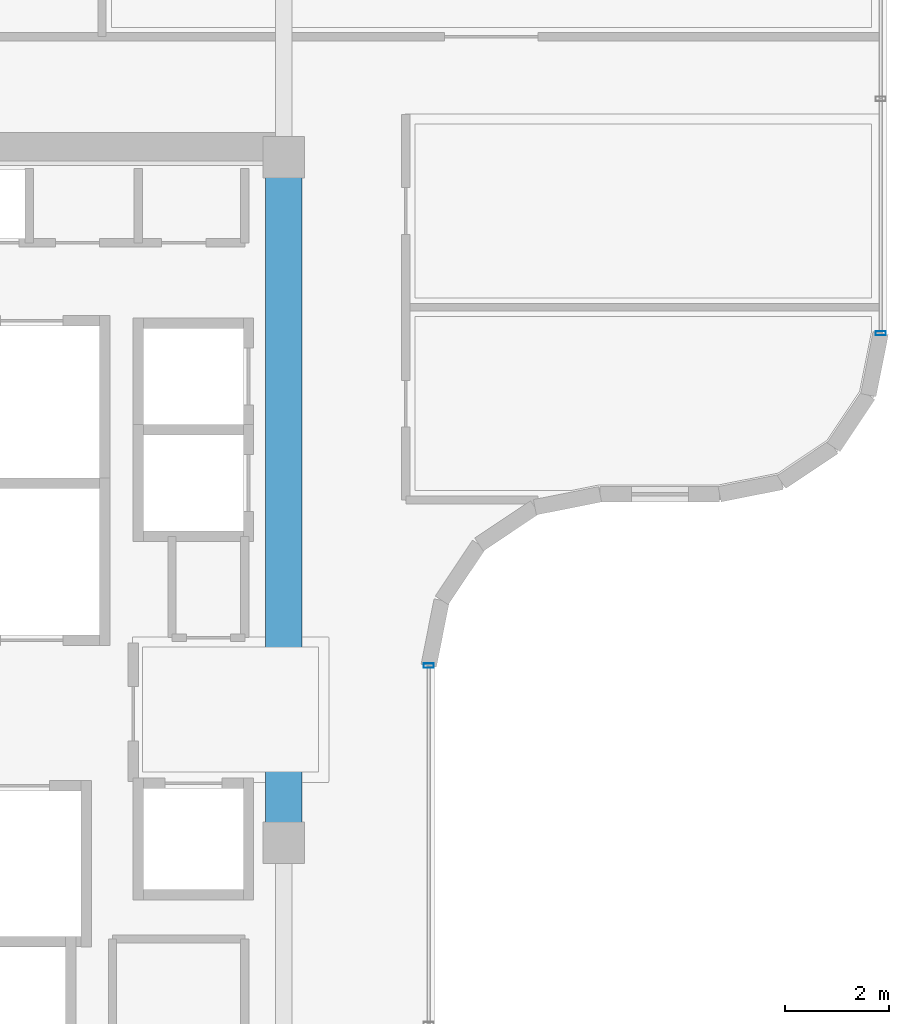
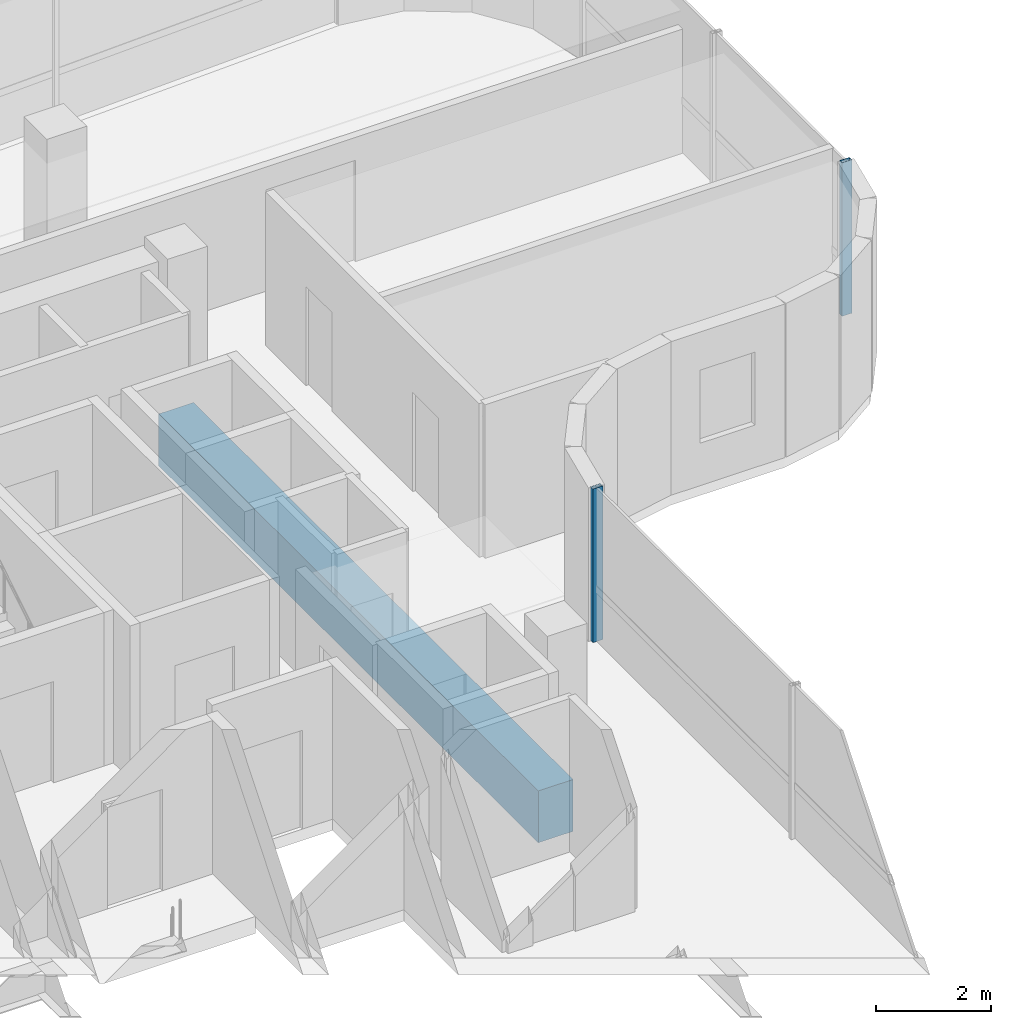
# One storey, part 8 of 20: 2 members, 1 beam, 2 elements without a shape of their own.
"""IFC4 building model written with IfcOpenShell, lengths in metres."""

from ifc_helpers import new_model, si_unit, direction, frame, origin, origin_2d, place, context, subcontext, project, spatial, rectangle, hollow_rectangle, extrude, source, transform, mapped, material, material_profile, profile_set, type_object, element, aggregate, save


model = new_model("IFC4")

# Units and contexts
model_context = context("Model", 3, precision=1e-05, world=origin(), true_north=direction((0.0, 1.0)))
body_context = subcontext(model_context, "Body", "Model", "MODEL_VIEW")
ifc_project = project(units=[si_unit("LENGTHUNIT", "METRE"), si_unit("AREAUNIT", "SQUARE_METRE"), si_unit("VOLUMEUNIT", "CUBIC_METRE"), si_unit("PLANEANGLEUNIT", "RADIAN"), si_unit("MASSUNIT", "GRAM", prefix="KILO")], contexts=[model_context])

# Site, building, storey
site_placement = place(None, origin())
site = spatial("IfcSite", under=ifc_project, at=site_placement, CompositionType="ELEMENT")
building_placement = place(site_placement, origin())
building = spatial("IfcBuilding", under=site, at=building_placement, Name="Valdorenza Pilgrim Sanctuary Tower", CompositionType="ELEMENT")
storey_placement = place(building_placement, frame((0.0, 0.0, 280.0)))
storey = spatial("IfcBuildingStorey", under=building, at=storey_placement, Name="L73", CompositionType="ELEMENT", Elevation=280.0)

# Beam
ifc_material_1 = material(Name="Concrete C50/60", Category="concrete")
ifc_material_profile_1 = material_profile(ifc_material_1, rectangle(XDim=0.699951171875, YDim=1.10009765625, at=origin_2d()), Name="RC 1100x700")
ifc_profile_set_1 = profile_set([ifc_material_profile_1], Name="Concrete C50/60")
beam_type = type_object("IfcBeamType", Name="STR-BM-LNT-1100", PredefinedType="LINTEL", material=ifc_profile_set_1)
shared_shape_1 = source(origin(), body_context, "Body", "SweptSolid", [
    extrude(rectangle(XDim=0.699951171875, YDim=1.10009765625, at=origin_2d()), origin(), (0.0, 0.0, 1.0), 13.2001953125),
])
beam_placement = place(storey_placement, frame((-12.39990234375, -2.60009765625, -0.590087890625), z_axis=(0.0, 1.0, 0.0), x_axis=(-1.0, 0.0, 0.0)))
element("IfcBeam", 1, at=beam_placement, inside=storey, type_object=beam_type, Name="L73 Core A Coupling Lintel Girder", PredefinedType="LINTEL", context=body_context, shape_type="MappedRepresentation", body=[
    mapped(shared_shape_1, transform((0.0, 0.0, 0.0), x_axis=(1.0, 0.0, 0.0), y_axis=(0.0, 1.0, 0.0), z_axis=(0.0, 0.0, 1.0), scale=1.0)),
])

# Curtain wall, member
ifc_material_2 = material(Name="Curtain-wall IGU glazing", Category="glass")
curtain_wall_type = type_object("IfcCurtainWallType", Name="CW-SYS-02", PredefinedType="NOTDEFINED", material=ifc_material_2)
curtain_wall_1_placement = place(storey_placement, origin())
curtain_wall_1 = element("IfcCurtainWall", 2, at=curtain_wall_1_placement, inside=storey, type_object=curtain_wall_type, Name="L73 Curtain Wall CW-L73-1-11", PredefinedType="NOTDEFINED")
ifc_material_3 = material(Name="Anodised aluminium AW-6060", Category="aluminium")
ifc_material_profile_2 = material_profile(ifc_material_3, hollow_rectangle(XDim=0.0849609375, YDim=0.199951171875, WallThickness=0.0048828125, at=origin_2d()), Name="ALU-M 200x85x5")
ifc_profile_set_2 = profile_set([ifc_material_profile_2], Name="Anodised aluminium AW-6060")
member_type = type_object("IfcMemberType", Name="CW-MUL-02", PredefinedType="MULLION", material=ifc_profile_set_2)
shared_shape_2 = source(origin(), body_context, "Body", "SweptSolid", [
    extrude(hollow_rectangle(XDim=0.0849609375, YDim=0.199951171875, WallThickness=0.0048828125, at=origin_2d()), origin(), (0.0, 0.0, 1.0), 3.260009765625),
])
member_1_placement = place(storey_placement, frame((-0.909912109375, 7.210693359375, 0.0), z_axis=(0.0, 0.0, 1.0), x_axis=(0.0, -1.0, 0.0)))
member_1 = element("IfcMember", 3, at=member_1_placement, type_object=member_type, Name="CW-L73-1-11 Mullion 3", PredefinedType="MULLION", context=body_context, shape_type="MappedRepresentation", body=[
    mapped(shared_shape_2, transform((0.0, 0.0, 0.0), x_axis=(1.0, 0.0, 0.0), y_axis=(0.0, 1.0, 0.0), z_axis=(0.0, 0.0, 1.0), scale=1.0)),
])
aggregate(curtain_wall_1, [member_1])

curtain_wall_2_placement = place(storey_placement, origin())
curtain_wall_2 = element("IfcCurtainWall", 4, at=curtain_wall_2_placement, inside=storey, type_object=curtain_wall_type, Name="L73 Curtain Wall CW-L73-1-21", PredefinedType="NOTDEFINED")
member_2_placement = place(storey_placement, frame((-9.610107421875, 0.810791015625, 0.0), z_axis=(0.0, 0.0, 1.0), x_axis=(0.0, -1.0, 0.0)))
member_2 = element("IfcMember", 5, at=member_2_placement, type_object=member_type, Name="CW-L73-1-21 Mullion 1", PredefinedType="MULLION", context=body_context, shape_type="MappedRepresentation", body=[
    mapped(shared_shape_2, transform((0.0, 0.0, 0.0), x_axis=(1.0, 0.0, 0.0), y_axis=(0.0, 1.0, 0.0), z_axis=(0.0, 0.0, 1.0), scale=1.0)),
])
aggregate(curtain_wall_2, [member_2])

save(model, "model.ifc")
